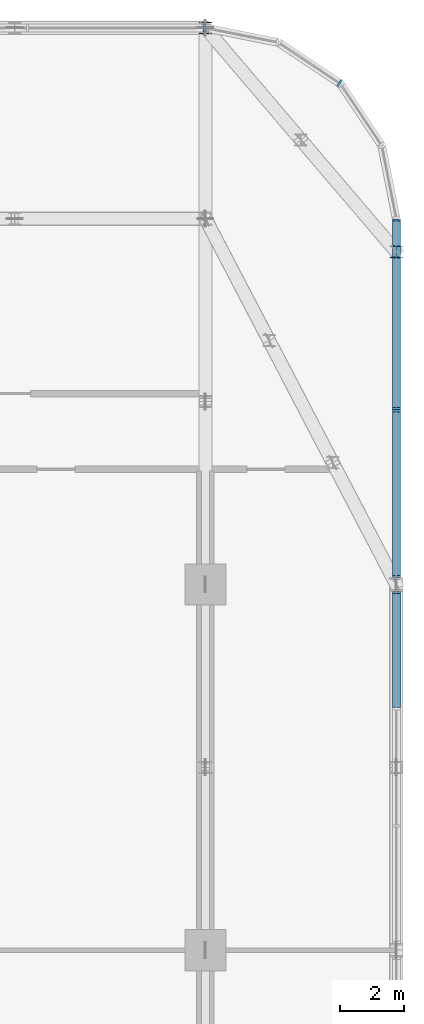
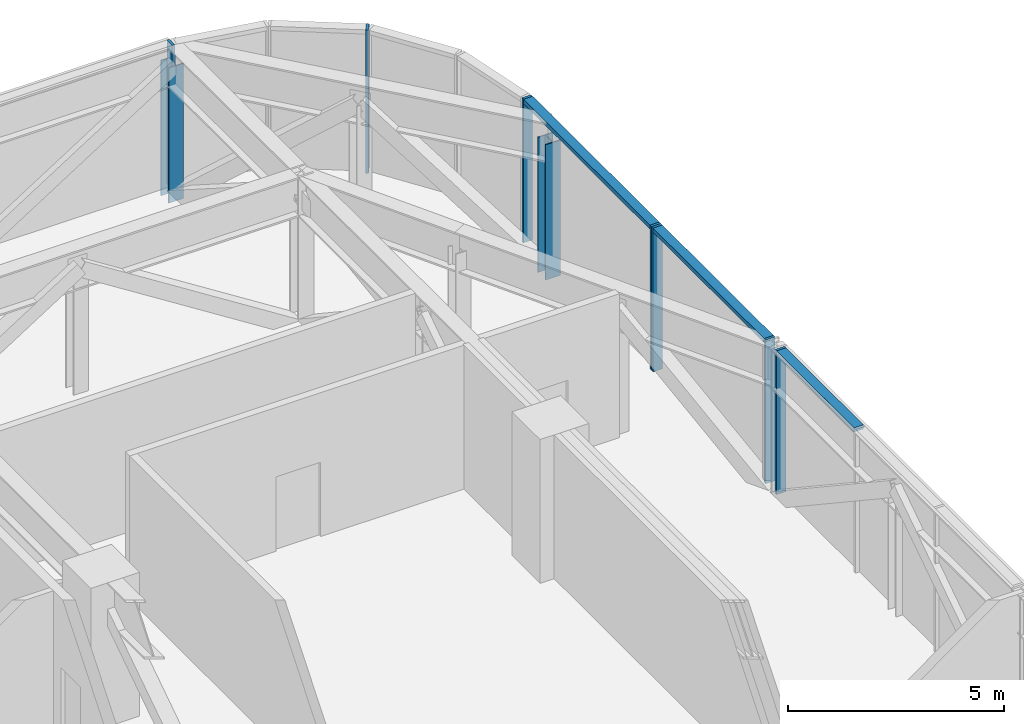
# One storey, part 13 of 30: 12 members, 5 elements without a shape of their own.
"""IFC4 building model written with IfcOpenShell, lengths in metres."""

from ifc_helpers import new_model, si_unit, direction, frame, origin, origin_2d, place, context, subcontext, project, spatial, rectangle, i_section, extrude, material, material_profile, profile_set, type_object, element, aggregate, save


model = new_model("IFC4")

# Units and contexts
model_context = context("Model", 3, precision=1e-05, world=origin(), true_north=direction((0.0, 1.0)))
body_context = subcontext(model_context, "Body", "Model", "MODEL_VIEW")
ifc_project = project(units=[si_unit("LENGTHUNIT", "METRE"), si_unit("AREAUNIT", "SQUARE_METRE"), si_unit("VOLUMEUNIT", "CUBIC_METRE"), si_unit("PLANEANGLEUNIT", "RADIAN"), si_unit("MASSUNIT", "GRAM", prefix="KILO")], contexts=[model_context])

# Site, building, storey
site_placement = place(None, origin())
site = spatial("IfcSite", under=ifc_project, at=site_placement, CompositionType="ELEMENT")
building_placement = place(site_placement, origin())
building = spatial("IfcBuilding", under=site, at=building_placement, Name="Mahtab Terrace Research Tower", CompositionType="ELEMENT")
storey_placement = place(building_placement, frame((0.0, 0.0, 154.800048828125)))
storey = spatial("IfcBuildingStorey", under=building, at=storey_placement, Name="L36", CompositionType="ELEMENT", Elevation=154.800048828125)

# Curtain wall, members
ifc_material_1 = material(Name="Sky lounge full-height curtain wall")
curtain_wall_type = type_object("IfcCurtainWallType", Name="Sky lounge full-height curtain wall", PredefinedType="NOTDEFINED", material=ifc_material_1)
curtain_wall_1_placement = place(storey_placement, origin())
curtain_wall_1 = element("IfcCurtainWall", 1, at=curtain_wall_1_placement, inside=storey, type_object=curtain_wall_type, Name="EN.L36.0.0", PredefinedType="NOTDEFINED")
ifc_material_2 = material(Name="Natural anodised aluminium", Category="aluminium")
ifc_material_profile_1 = material_profile(ifc_material_2, rectangle(XDim=0.25, YDim=0.070068359375, at=origin_2d()), Name="MULLION 70x250")
ifc_profile_set_1 = profile_set([ifc_material_profile_1], Name="Natural anodised aluminium")
member_type_1 = type_object("IfcMemberType", Name="Sky lounge full-height curtain wall mullion", PredefinedType="MULLION", material=ifc_profile_set_1)
member_1_placement = place(storey_placement, frame((48.0, 17.034912109375, 0.0), z_axis=(0.0, 0.0, 1.0), x_axis=(-1.0, 0.0, 0.0)))
member_1 = element("IfcMember", 2, at=member_1_placement, type_object=member_type_1, Name="CWS-T4 mullion 1", PredefinedType="MULLION", context=body_context, shape_type="SweptSolid", body=[
    extrude(rectangle(XDim=0.25, YDim=0.070068359375, at=origin_2d()), origin(), (0.0, 0.0, 1.0), 4.06005859375),
])
member_2_placement = place(storey_placement, frame((48.0, 22.965087890625, 0.0), z_axis=(0.0, 0.0, 1.0), x_axis=(-1.0, 0.0, 0.0)))
member_2 = element("IfcMember", 3, at=member_2_placement, type_object=member_type_1, Name="CWS-T4 mullion 2", PredefinedType="MULLION", context=body_context, shape_type="SweptSolid", body=[
    extrude(rectangle(XDim=0.25, YDim=0.070068359375, at=origin_2d()), origin(), (0.0, 0.0, 1.0), 4.06005859375),
])

# Curtain wall, member
curtain_wall_2_placement = place(storey_placement, origin())
curtain_wall_2 = element("IfcCurtainWall", 4, at=curtain_wall_2_placement, inside=storey, type_object=curtain_wall_type, Name="EN.L36.3.0", PredefinedType="NOTDEFINED")
member_3_placement = place(storey_placement, frame((46.2138671875, 27.262451171875, 0.0), z_axis=(0.0, 0.0, 1.0), x_axis=(-0.555291490808, -0.831655794326, 0.0)))
member_3 = element("IfcMember", 5, at=member_3_placement, type_object=member_type_1, Name="CWS-T4 mullion 1", PredefinedType="MULLION", context=body_context, shape_type="SweptSolid", body=[
    extrude(rectangle(XDim=0.25, YDim=0.070068359375, at=origin_2d()), origin(), (0.0, 0.0, 1.0), 4.06005859375),
])
aggregate(curtain_wall_2, [member_3])

curtain_wall_3_placement = place(storey_placement, origin())
curtain_wall_3 = element("IfcCurtainWall", 6, at=curtain_wall_3_placement, inside=storey, type_object=curtain_wall_type, Name="EN.L36.5.0", PredefinedType="NOTDEFINED")
member_4_placement = place(storey_placement, frame((41.965087890625, 29.0, 0.0), z_axis=(0.0, 0.0, 1.0), x_axis=(0.0, -1.0, 0.0)))
member_4 = element("IfcMember", 7, at=member_4_placement, type_object=member_type_1, Name="CWS-T4 mullion 1", PredefinedType="MULLION", context=body_context, shape_type="SweptSolid", body=[
    extrude(rectangle(XDim=0.25, YDim=0.070068359375, at=origin_2d()), origin(), (0.0, 0.0, 1.0), 4.06005859375),
])
aggregate(curtain_wall_3, [member_4])

curtain_wall_4_placement = place(storey_placement, origin())
curtain_wall_4 = element("IfcCurtainWall", 8, at=curtain_wall_4_placement, inside=storey, type_object=curtain_wall_type, Name="EN.L36.23.1", PredefinedType="NOTDEFINED")
member_5_placement = place(storey_placement, frame((48.0, 11.2470703125, 0.0), z_axis=(0.0, 0.0, 1.0), x_axis=(-1.0, 0.0, 0.0)))
member_5 = element("IfcMember", 9, at=member_5_placement, type_object=member_type_1, Name="CWS-T4 mullion 4", PredefinedType="MULLION", context=body_context, shape_type="SweptSolid", body=[
    extrude(rectangle(XDim=0.25, YDim=0.070068359375, at=origin_2d()), origin(), (0.0, 0.0, 1.0), 4.06005859375),
])

# Curtain wall, members
curtain_wall_5_placement = place(storey_placement, origin())
curtain_wall_5 = element("IfcCurtainWall", 10, at=curtain_wall_5_placement, inside=storey, type_object=curtain_wall_type, Name="EN.L36.23.2", PredefinedType="NOTDEFINED")
member_6_placement = place(storey_placement, frame((48.0, 11.7529296875, 0.0), z_axis=(0.0, 0.0, 1.0), x_axis=(-1.0, 0.0, 0.0)))
member_6 = element("IfcMember", 11, at=member_6_placement, type_object=member_type_1, Name="CWS-T4 mullion 1", PredefinedType="MULLION", context=body_context, shape_type="SweptSolid", body=[
    extrude(rectangle(XDim=0.25, YDim=0.070068359375, at=origin_2d()), origin(), (0.0, 0.0, 1.0), 4.06005859375),
])
member_7_placement = place(storey_placement, frame((48.0, 16.965087890625, 0.0), z_axis=(0.0, 0.0, 1.0), x_axis=(-1.0, 0.0, 0.0)))
member_7 = element("IfcMember", 12, at=member_7_placement, type_object=member_type_1, Name="CWS-T4 mullion 2", PredefinedType="MULLION", context=body_context, shape_type="SweptSolid", body=[
    extrude(rectangle(XDim=0.25, YDim=0.070068359375, at=origin_2d()), origin(), (0.0, 0.0, 1.0), 4.06005859375),
])

# Member
ifc_material_profile_2 = material_profile(ifc_material_2, rectangle(XDim=0.25, YDim=0.1201171875, at=origin_2d()), Name="TRANSOM 120x250")
ifc_profile_set_2 = profile_set([ifc_material_profile_2], Name="Natural anodised aluminium")
member_type_2 = type_object("IfcMemberType", Name="Sky lounge full-height curtain wall transom", PredefinedType="USERDEFINED", material=ifc_profile_set_2)
member_8_placement = place(storey_placement, frame((48.0, 17.070068359375, 4.0), z_axis=(0.0, 1.0, 0.0), x_axis=(-1.0, 0.0, 0.0)))
member_8 = element("IfcMember", 13, at=member_8_placement, type_object=member_type_2, Name="CWS-T4 transom 1", ObjectType="TRANSOM", PredefinedType="USERDEFINED", context=body_context, shape_type="SweptSolid", body=[
    extrude(rectangle(XDim=0.25, YDim=0.1201171875, at=origin_2d()), origin(), (0.0, 0.0, 1.0), 5.85986328125),
])

aggregate(curtain_wall_1, [member_1, member_2, member_8])

member_9_placement = place(storey_placement, frame((48.0, 7.62890625, 4.0), z_axis=(0.0, 1.0, 0.0), x_axis=(-1.0, 0.0, 0.0)))
member_9 = element("IfcMember", 14, at=member_9_placement, type_object=member_type_2, Name="CWS-T4 transom 3", ObjectType="TRANSOM", PredefinedType="USERDEFINED", context=body_context, shape_type="SweptSolid", body=[
    extrude(rectangle(XDim=0.25, YDim=0.1201171875, at=origin_2d()), origin(), (0.0, 0.0, 1.0), 3.5830078125),
])

aggregate(curtain_wall_4, [member_5, member_9])

member_10_placement = place(storey_placement, frame((48.0, 11.7880859375, 4.0), z_axis=(0.0, 1.0, 0.0), x_axis=(-1.0, 0.0, 0.0)))
member_10 = element("IfcMember", 15, at=member_10_placement, type_object=member_type_2, Name="CWS-T4 transom 1", ObjectType="TRANSOM", PredefinedType="USERDEFINED", context=body_context, shape_type="SweptSolid", body=[
    extrude(rectangle(XDim=0.25, YDim=0.1201171875, at=origin_2d()), origin(), (0.0, 0.0, 1.0), 5.141845703125),
])

aggregate(curtain_wall_5, [member_6, member_7, member_10])

# Members
ifc_material_3 = material(Name="Steel ASTM A992 Gr 50", Category="steel")
ifc_material_profile_3 = material_profile(ifc_material_3, i_section(OverallWidth=0.396240234375, OverallDepth=0.381103515625, WebThickness=0.018798828125, FlangeThickness=0.0302734375, at=origin_2d()), Name="W14X159")
ifc_profile_set_3 = profile_set([ifc_material_profile_3], Name="Steel ASTM A992 Gr 50")
member_type_3 = type_object("IfcMemberType", Name="W14x159 post TP14159", PredefinedType="POST", material=ifc_profile_set_3)
for number, where, z_axis, x_axis, name in (
    (16, (42.0, 29.0, -0.317626953125), (0.0, 0.0, 1.0), (1.0, 0.0, 0.0), "Transfer truss T4 post 109"),
    (17, (48.0, 21.9599609375, -0.317626953125), (0.0, 0.0, 1.0), (1.0, 0.0, 0.0), "Transfer truss T4 post 120"),
):
    element("IfcMember", number, at=place(storey_placement, frame(where, z_axis=z_axis, x_axis=x_axis)), inside=storey, type_object=member_type_3, Name=name, PredefinedType="POST", context=body_context, shape_type="SweptSolid", body=[
        extrude(i_section(OverallWidth=0.396240234375, OverallDepth=0.381103515625, WebThickness=0.018798828125, FlangeThickness=0.0302734375, at=origin_2d()), origin(), (0.0, 0.0, 1.0), 3.81884765625),
    ])

save(model, "model.ifc")
